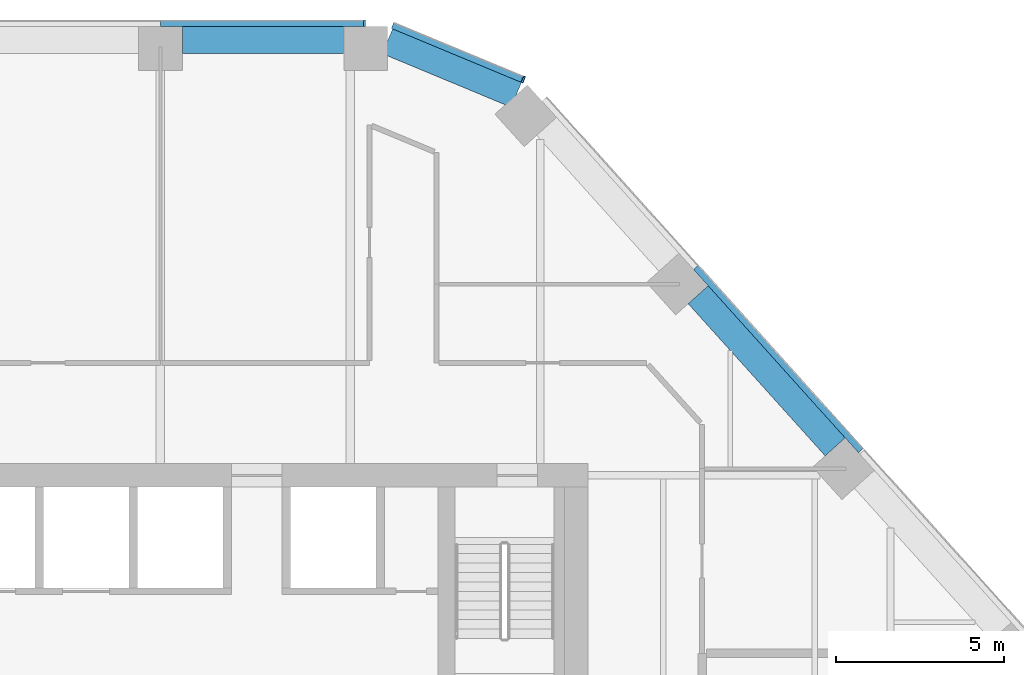
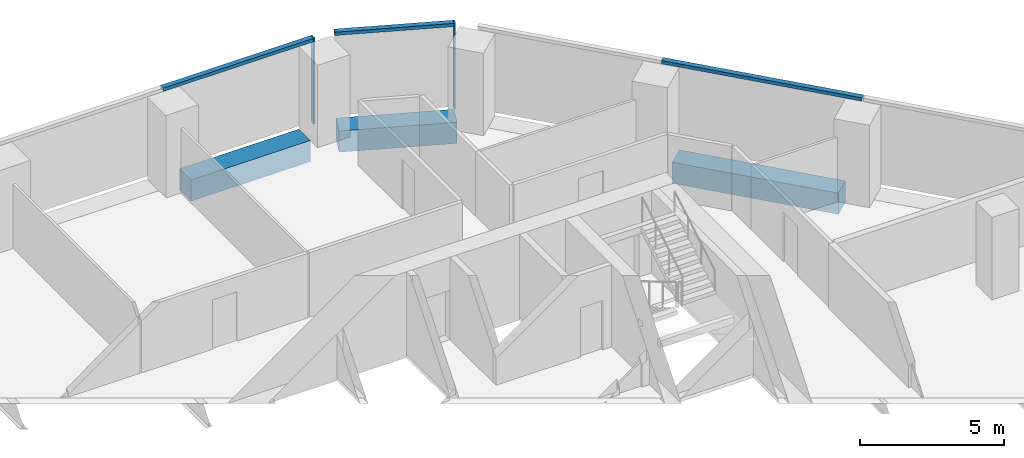
# One storey, part 9 of 16: 5 members, 3 beams, 3 elements without a shape of their own.
"""IFC4 building model written with IfcOpenShell, lengths in metres."""

from ifc_helpers import new_model, si_unit, direction, frame, origin, origin_2d, place, context, subcontext, project, spatial, rectangle, extrude, material, layer, layer_set, material_profile, profile_set, type_object, element, aggregate, save


model = new_model("IFC4")

# Units and contexts
model_context = context("Model", 3, precision=1e-05, world=origin(), true_north=direction((0.0, 1.0)))
body_context = subcontext(model_context, "Body", "Model", "MODEL_VIEW")
ifc_project = project(units=[si_unit("LENGTHUNIT", "METRE"), si_unit("AREAUNIT", "SQUARE_METRE"), si_unit("VOLUMEUNIT", "CUBIC_METRE"), si_unit("PLANEANGLEUNIT", "RADIAN"), si_unit("MASSUNIT", "GRAM", prefix="KILO")], contexts=[model_context])

# Site, building, storey
site_placement = place(None, origin())
site = spatial("IfcSite", under=ifc_project, at=site_placement, CompositionType="ELEMENT")
building_placement = place(site_placement, origin())
building = spatial("IfcBuilding", under=site, at=building_placement, Name="Isthmus Gate Tower", CompositionType="ELEMENT")
storey_placement = place(building_placement, frame((0.0, 0.0, 196.35009765625)))
storey = spatial("IfcBuildingStorey", under=building, at=storey_placement, Name="L49", CompositionType="ELEMENT", Elevation=196.35009765625)

# Curtain wall, member
ifc_material_1 = material(Name="Aluminium, pale champagne anodised", Category="aluminium")
ifc_layer = layer(ifc_material_1, 0.199951171875)
ifc_layer_set = layer_set([ifc_layer], Name="CW-1 UNITISED CURTAIN WALL 200 DEEP")
curtain_wall_type = type_object("IfcCurtainWallType", Name="CW-1 UNITISED CURTAIN WALL 200 DEEP", PredefinedType="NOTDEFINED", material=ifc_layer_set)
curtain_wall_1_placement = place(storey_placement, origin())
curtain_wall_1 = element("IfcCurtainWall", 1, at=curtain_wall_1_placement, inside=storey, type_object=curtain_wall_type, Name="CW-1 N L49", PredefinedType="NOTDEFINED")
ifc_material_2 = material(Name="Aluminium, pale champagne anodised", Category="aluminium")
ifc_material_profile_1 = material_profile(ifc_material_2, rectangle(XDim=0.06005859375, YDim=0.199951171875, at=origin_2d()), Name="60x200")
ifc_profile_set_1 = profile_set([ifc_material_profile_1], Name="Aluminium, pale champagne anodised")
member_type_1 = type_object("IfcMemberType", Name="CW-1 MULLION 60 X 200", PredefinedType="MULLION", material=ifc_profile_set_1)
member_1_placement = place(storey_placement, frame((8.358642578125, 28.10009765625, 0.0), z_axis=(0.0, 0.0, 1.0), x_axis=(-1.0, 0.0, 0.0)))
member_1 = element("IfcMember", 2, at=member_1_placement, type_object=member_type_1, Name="CW-1 mullion", PredefinedType="MULLION", context=body_context, shape_type="SweptSolid", body=[
    extrude(rectangle(XDim=0.06005859375, YDim=0.199951171875, at=origin_2d()), origin(), (0.0, 0.0, 1.0), 3.64990234375),
])

curtain_wall_2_placement = place(storey_placement, origin())
curtain_wall_2 = element("IfcCurtainWall", 3, at=curtain_wall_2_placement, inside=storey, type_object=curtain_wall_type, Name="CW-1 NE-N L49", PredefinedType="NOTDEFINED")
member_2_placement = place(storey_placement, frame((13.080810546875, 26.427490234375, 0.0), z_axis=(0.0, 0.0, 1.0), x_axis=(-0.923353128387, 0.383951820282, 0.0)))
member_2 = element("IfcMember", 4, at=member_2_placement, type_object=member_type_1, Name="CW-1 mullion", PredefinedType="MULLION", context=body_context, shape_type="SweptSolid", body=[
    extrude(rectangle(XDim=0.06005859375, YDim=0.199951171875, at=origin_2d()), origin(), (0.0, 0.0, 1.0), 3.64990234375),
])

# Member
ifc_material_3 = material(Name="Aluminium, pale champagne anodised", Category="aluminium")
ifc_material_profile_2 = material_profile(ifc_material_3, rectangle(XDim=0.199951171875, YDim=0.139892578125, at=origin_2d()), Name="200x140")
ifc_profile_set_2 = profile_set([ifc_material_profile_2], Name="Aluminium, pale champagne anodised")
member_type_2 = type_object("IfcMemberType", Name="CW-1 TRANSOM 200 X 140", PredefinedType="USERDEFINED", material=ifc_profile_set_2)
member_3_placement = place(storey_placement, frame((8.32861328125, 28.10009765625, 3.579833984375), z_axis=(-1.0, 0.0, 0.0), x_axis=(0.0, -1.0, 0.0)))
member_3 = element("IfcMember", 5, at=member_3_placement, type_object=member_type_2, Name="CW-1 transom", ObjectType="TRANSOM", PredefinedType="USERDEFINED", context=body_context, shape_type="SweptSolid", body=[
    extrude(rectangle(XDim=0.199951171875, YDim=0.139892578125, at=origin_2d()), origin(), (0.0, 0.0, 1.0), 6.040283203125),
])

aggregate(curtain_wall_1, [member_1, member_3])

# Curtain wall, member
curtain_wall_3_placement = place(storey_placement, origin())
curtain_wall_3 = element("IfcCurtainWall", 6, at=curtain_wall_3_placement, inside=storey, type_object=curtain_wall_type, Name="CW-1 NE L49", PredefinedType="NOTDEFINED")
member_4_placement = place(storey_placement, frame((23.126708984375, 15.3955078125, 3.579833984375), z_axis=(-0.669137671884, 0.743138463589, 0.0), x_axis=(-0.743138463589, -0.669137671884, 0.0)))
member_4 = element("IfcMember", 7, at=member_4_placement, type_object=member_type_2, Name="CW-1 transom", ObjectType="TRANSOM", PredefinedType="USERDEFINED", context=body_context, shape_type="SweptSolid", body=[
    extrude(rectangle(XDim=0.199951171875, YDim=0.139892578125, at=origin_2d()), origin(), (0.0, 0.0, 1.0), 7.330810546875),
])
aggregate(curtain_wall_3, [member_4])

# Member
member_5_placement = place(storey_placement, frame((13.05322265625, 26.43896484375, 3.579833984375), z_axis=(-0.923358236369, 0.383939536033, 0.0), x_axis=(-0.383939536033, -0.923358236369, 0.0)))
member_5 = element("IfcMember", 8, at=member_5_placement, type_object=member_type_2, Name="CW-1 transom", ObjectType="TRANSOM", PredefinedType="USERDEFINED", context=body_context, shape_type="SweptSolid", body=[
    extrude(rectangle(XDim=0.199951171875, YDim=0.139892578125, at=origin_2d()), origin(), (0.0, 0.0, 1.0), 4.181640625),
])

aggregate(curtain_wall_2, [member_2, member_5])

# Beams
ifc_material_4 = material(Name="Concrete f'c 60 MPa", Category="concrete")
ifc_material_profile_3 = material_profile(ifc_material_4, rectangle(XDim=0.800048828125, YDim=0.89990234375, at=origin_2d()), Name="RC 800X900")
ifc_profile_set_3 = profile_set([ifc_material_profile_3], Name="Concrete f'c 60 MPa")
beam_type = type_object("IfcBeamType", Name="RC SPANDREL 800 X 900", PredefinedType="SPANDREL", material=ifc_profile_set_3)
beam_1_placement = place(storey_placement, frame((9.03857421875, 27.56689453125, -0.4501953125), z_axis=(0.923342835736, -0.383976571805, 0.0), x_axis=(0.383976571805, 0.923342835736, 0.0)))
element("IfcBeam", 9, at=beam_1_placement, inside=storey, type_object=beam_type, Name="str-spandrel-L49-00", PredefinedType="SPANDREL", context=body_context, shape_type="SweptSolid", body=[
    extrude(rectangle(XDim=0.800048828125, YDim=0.89990234375, at=origin_2d()), origin(), (0.0, 0.0, 1.0), 4.152587890625),
])
beam_2_placement = place(storey_placement, frame((18.284912109375, 20.025634765625, -0.4501953125), z_axis=(0.669119737495, -0.743154611703, 0.0), x_axis=(0.743154611703, 0.669119737495, 0.0)))
element("IfcBeam", 10, at=beam_2_placement, inside=storey, type_object=beam_type, Name="str-spandrel-L49-02", PredefinedType="SPANDREL", context=body_context, shape_type="SweptSolid", body=[
    extrude(rectangle(XDim=0.800048828125, YDim=0.89990234375, at=origin_2d()), origin(), (0.0, 0.0, 1.0), 6.0908203125),
])
beam_3_placement = place(storey_placement, frame((2.9384765625, 27.60009765625, -0.4501953125), z_axis=(1.0, 0.0, 0.0), x_axis=(0.0, 1.0, 0.0)))
element("IfcBeam", 11, at=beam_3_placement, inside=storey, type_object=beam_type, Name="str-spandrel-L49-29", PredefinedType="SPANDREL", context=body_context, shape_type="SweptSolid", body=[
    extrude(rectangle(XDim=0.800048828125, YDim=0.89990234375, at=origin_2d()), origin(), (0.0, 0.0, 1.0), 4.800048828125),
])

save(model, "model.ifc")
